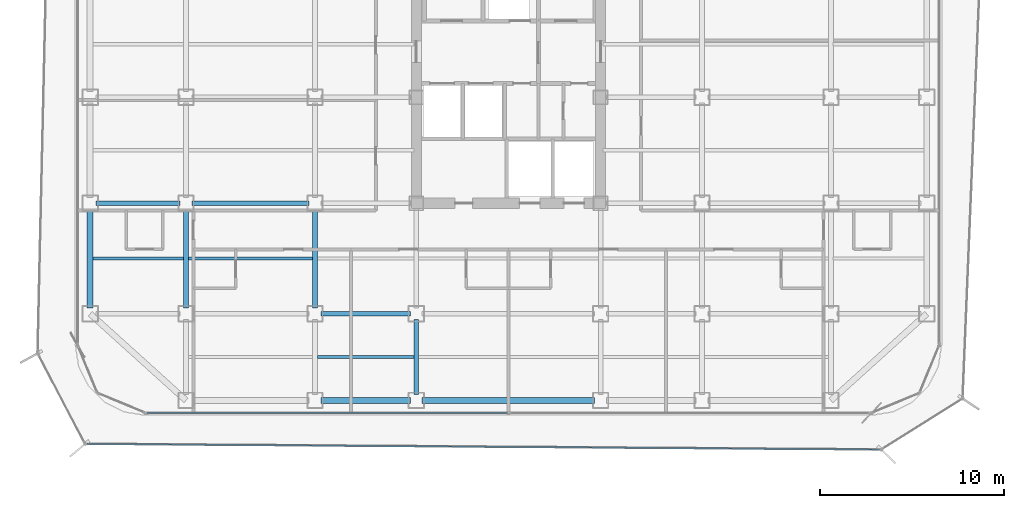
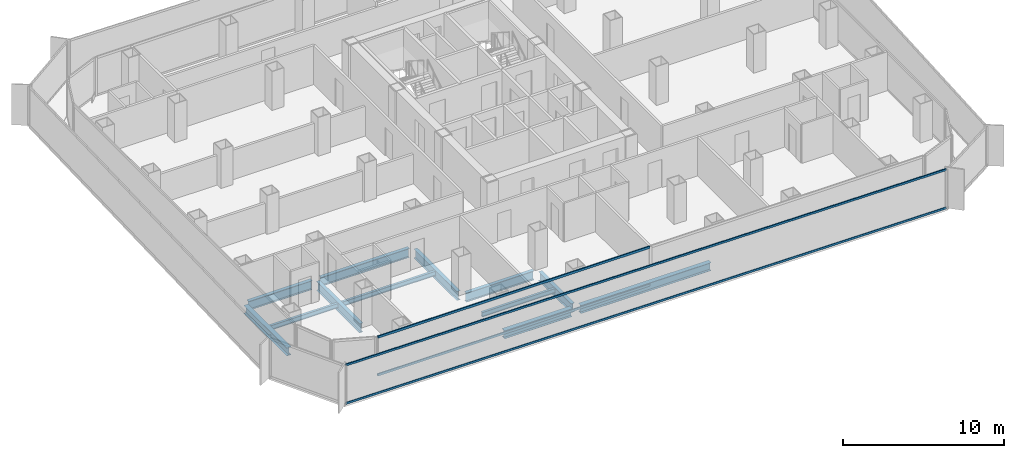
# One storey, part 3 of 21: 12 beams, 4 members, 2 elements without a shape of their own.
"""IFC4 building model written with IfcOpenShell, lengths in metres."""

from ifc_helpers import new_model, si_unit, direction, frame, origin, origin_2d, place, context, subcontext, project, spatial, hollow_rectangle, i_section, extrude, source, transform, mapped, material, layer, layer_set, material_profile, profile_set, type_object, element, aggregate, save


model = new_model("IFC4")

# Units and contexts
model_context = context("Model", 3, precision=1e-05, world=origin(), true_north=direction((0.0, 1.0)))
body_context = subcontext(model_context, "Body", "Model", "MODEL_VIEW")
ifc_project = project(units=[si_unit("LENGTHUNIT", "METRE"), si_unit("AREAUNIT", "SQUARE_METRE"), si_unit("VOLUMEUNIT", "CUBIC_METRE"), si_unit("PLANEANGLEUNIT", "RADIAN"), si_unit("MASSUNIT", "GRAM", prefix="KILO")], contexts=[model_context])

# Site, building, storey
site_placement = place(None, origin())
site = spatial("IfcSite", under=ifc_project, at=site_placement, CompositionType="ELEMENT")
building_placement = place(site_placement, origin())
building = spatial("IfcBuilding", under=site, at=building_placement, Name="Kolveth Station Tower", CompositionType="ELEMENT")
storey_placement = place(building_placement, frame((0.0, 0.0, 105.5)))
storey = spatial("IfcBuildingStorey", under=building, at=storey_placement, Name="L28", CompositionType="ELEMENT", Elevation=105.5)

# Beams
ifc_material_1 = material(Name="Steel S355", Category="steel")
ifc_material_profile_1 = material_profile(ifc_material_1, i_section(OverallWidth=0.323974609375, OverallDepth=0.611083984375, WebThickness=0.0126953125, FlangeThickness=0.01904296875, at=origin_2d()), Name="W610x155")
ifc_profile_set_1 = profile_set([ifc_material_profile_1], Name="Steel S355")
beam_type_1 = type_object("IfcBeamType", Name="Beam_SP2", PredefinedType="SPANDREL", material=ifc_profile_set_1)
shared_shape_1 = source(origin(), body_context, "Body", "SweptSolid", [
    extrude(i_section(OverallWidth=0.323974609375, OverallDepth=0.611083984375, WebThickness=0.0126953125, FlangeThickness=0.01904296875, at=origin_2d()), origin(), (0.0, 0.0, 1.0), 4.85986328125),
])
beam_1_placement = place(storey_placement, frame((13.320068359375, 0.800048828125, -0.555419921875), z_axis=(1.0, 0.0, 0.0), x_axis=(0.0, 1.0, 0.0)))
element("IfcBeam", 1, at=beam_1_placement, inside=storey, type_object=beam_type_1, Name="L28 Perimeter Spandrel BM-L28-PS-2", PredefinedType="SPANDREL", context=body_context, shape_type="MappedRepresentation", body=[
    mapped(shared_shape_1, transform((0.0, 0.0, 0.0), x_axis=(1.0, 0.0, 0.0), y_axis=(0.0, 1.0, 0.0), z_axis=(0.0, 0.0, 1.0), scale=1.0)),
])
shared_shape_2 = source(origin(), body_context, "Body", "SweptSolid", [
    extrude(i_section(OverallWidth=0.323974609375, OverallDepth=0.611083984375, WebThickness=0.0126953125, FlangeThickness=0.01904296875, at=origin_2d()), origin(), (0.0, 0.0, 1.0), 9.35986328125),
])
beam_2_placement = place(storey_placement, frame((18.820068359375, 0.800048828125, -0.555419921875), z_axis=(1.0, 0.0, 0.0), x_axis=(0.0, 1.0, 0.0)))
element("IfcBeam", 2, at=beam_2_placement, inside=storey, type_object=beam_type_1, Name="L28 Perimeter Spandrel BM-L28-PS-3", PredefinedType="SPANDREL", context=body_context, shape_type="MappedRepresentation", body=[
    mapped(shared_shape_2, transform((0.0, 0.0, 0.0), x_axis=(1.0, 0.0, 0.0), y_axis=(0.0, 1.0, 0.0), z_axis=(0.0, 0.0, 1.0), scale=1.0)),
])
shared_shape_3 = source(origin(), body_context, "Body", "SweptSolid", [
    extrude(i_section(OverallWidth=0.323974609375, OverallDepth=0.611083984375, WebThickness=0.0126953125, FlangeThickness=0.01904296875, at=origin_2d()), origin(), (0.0, 0.0, 1.0), 5.35986328125),
])
beam_3_placement = place(storey_placement, frame((0.800048828125, 5.820068359375, -0.555419921875), z_axis=(0.0, 1.0, 0.0), x_axis=(-1.0, 0.0, 0.0)))
element("IfcBeam", 3, at=beam_3_placement, inside=storey, type_object=beam_type_1, Name="L28 Perimeter Spandrel BM-L28-PW-1", PredefinedType="SPANDREL", context=body_context, shape_type="MappedRepresentation", body=[
    mapped(shared_shape_3, transform((0.0, 0.0, 0.0), x_axis=(1.0, 0.0, 0.0), y_axis=(0.0, 1.0, 0.0), z_axis=(0.0, 0.0, 1.0), scale=1.0)),
])
ifc_material_profile_2 = material_profile(ifc_material_1, i_section(OverallWidth=0.25390625, OverallDepth=0.68798828125, WebThickness=0.01318359375, FlangeThickness=0.02099609375, at=origin_2d()), Name="W690x152")
ifc_profile_set_2 = profile_set([ifc_material_profile_2], Name="Steel S355")
beam_type_2 = type_object("IfcBeamType", Name="Beam_B4", PredefinedType="BEAM", material=ifc_profile_set_2)
shared_shape_4 = source(origin(), body_context, "Body", "SweptSolid", [
    extrude(i_section(OverallWidth=0.25390625, OverallDepth=0.68798828125, WebThickness=0.01318359375, FlangeThickness=0.02099609375, at=origin_2d()), origin(), (0.0, 0.0, 1.0), 4.559814453125),
])
beam_4_placement = place(storey_placement, frame((1.1201171875, 11.5, -0.593994140625), z_axis=(1.0, 0.0, 0.0), x_axis=(0.0, 1.0, 0.0)))
element("IfcBeam", 4, at=beam_4_placement, inside=storey, type_object=beam_type_2, Name="L28 Primary Girder BM-L28-GY115-1", PredefinedType="BEAM", context=body_context, shape_type="MappedRepresentation", body=[
    mapped(shared_shape_4, transform((0.0, 0.0, 0.0), x_axis=(1.0, 0.0, 0.0), y_axis=(0.0, 1.0, 0.0), z_axis=(0.0, 0.0, 1.0), scale=1.0)),
])
shared_shape_5 = source(origin(), body_context, "Body", "SweptSolid", [
    extrude(i_section(OverallWidth=0.25390625, OverallDepth=0.68798828125, WebThickness=0.01318359375, FlangeThickness=0.02099609375, at=origin_2d()), origin(), (0.0, 0.0, 1.0), 6.35986328125),
])
beam_5_placement = place(storey_placement, frame((6.320068359375, 11.5, -0.593994140625), z_axis=(1.0, 0.0, 0.0), x_axis=(0.0, 1.0, 0.0)))
element("IfcBeam", 5, at=beam_5_placement, inside=storey, type_object=beam_type_2, Name="L28 Primary Girder BM-L28-GY115-2", PredefinedType="BEAM", context=body_context, shape_type="MappedRepresentation", body=[
    mapped(shared_shape_5, transform((0.0, 0.0, 0.0), x_axis=(1.0, 0.0, 0.0), y_axis=(0.0, 1.0, 0.0), z_axis=(0.0, 0.0, 1.0), scale=1.0)),
])
shared_shape_6 = source(origin(), body_context, "Body", "SweptSolid", [
    extrude(i_section(OverallWidth=0.25390625, OverallDepth=0.68798828125, WebThickness=0.01318359375, FlangeThickness=0.02099609375, at=origin_2d()), origin(), (0.0, 0.0, 1.0), 4.85986328125),
])
beam_6_placement = place(storey_placement, frame((13.320068359375, 5.5, -0.593994140625), z_axis=(1.0, 0.0, 0.0), x_axis=(0.0, 1.0, 0.0)))
element("IfcBeam", 6, at=beam_6_placement, inside=storey, type_object=beam_type_2, Name="L28 Primary Girder BM-L28-GY55-3", PredefinedType="BEAM", context=body_context, shape_type="MappedRepresentation", body=[
    mapped(shared_shape_6, transform((0.0, 0.0, 0.0), x_axis=(1.0, 0.0, 0.0), y_axis=(0.0, 1.0, 0.0), z_axis=(0.0, 0.0, 1.0), scale=1.0)),
])
shared_shape_7 = source(origin(), body_context, "Body", "SweptSolid", [
    extrude(i_section(OverallWidth=0.25390625, OverallDepth=0.68798828125, WebThickness=0.01318359375, FlangeThickness=0.02099609375, at=origin_2d()), origin(), (0.0, 0.0, 1.0), 4.059814453125),
])
beam_7_placement = place(storey_placement, frame((18.5, 1.1201171875, -0.593994140625), z_axis=(0.0, 1.0, 0.0), x_axis=(-1.0, 0.0, 0.0)))
element("IfcBeam", 7, at=beam_7_placement, inside=storey, type_object=beam_type_2, Name="L28 Primary Girder BM-L28-GX185-1", PredefinedType="BEAM", context=body_context, shape_type="MappedRepresentation", body=[
    mapped(shared_shape_7, transform((0.0, 0.0, 0.0), x_axis=(1.0, 0.0, 0.0), y_axis=(0.0, 1.0, 0.0), z_axis=(0.0, 0.0, 1.0), scale=1.0)),
])
shared_shape_8 = source(origin(), body_context, "Body", "SweptSolid", [
    extrude(i_section(OverallWidth=0.25390625, OverallDepth=0.68798828125, WebThickness=0.01318359375, FlangeThickness=0.02099609375, at=origin_2d()), origin(), (0.0, 0.0, 1.0), 5.35986328125),
])
for number, where, z_axis, x_axis, name in (
    (8, (6.0, 5.820068359375, -0.593994140625), (0.0, 1.0, 0.0), (-1.0, 0.0, 0.0), "L28 Primary Girder BM-L28-GX60-2"),
    (9, (13.0, 5.820068359375, -0.593994140625), (0.0, 1.0, 0.0), (-1.0, 0.0, 0.0), "L28 Primary Girder BM-L28-GX130-2"),
):
    element("IfcBeam", number, at=place(storey_placement, frame(where, z_axis=z_axis, x_axis=x_axis)), inside=storey, type_object=beam_type_2, Name=name, PredefinedType="BEAM", context=body_context, shape_type="MappedRepresentation", body=[
        mapped(shared_shape_8, transform((0.0, 0.0, 0.0), x_axis=(1.0, 0.0, 0.0), y_axis=(0.0, 1.0, 0.0), z_axis=(0.0, 0.0, 1.0), scale=1.0)),
    ])
ifc_material_profile_3 = material_profile(ifc_material_1, i_section(OverallWidth=0.1708984375, OverallDepth=0.35205078125, WebThickness=0.0068359375, FlangeThickness=0.009765625, at=origin_2d()), Name="W360x44")
ifc_profile_set_3 = profile_set([ifc_material_profile_3], Name="Steel S355")
beam_type_3 = type_object("IfcBeamType", Name="Beam_J2", PredefinedType="JOIST", material=ifc_profile_set_3)
shared_shape_9 = source(origin(), body_context, "Body", "SweptSolid", [
    extrude(i_section(OverallWidth=0.1708984375, OverallDepth=0.35205078125, WebThickness=0.0068359375, FlangeThickness=0.009765625, at=origin_2d()), origin(), (0.0, 0.0, 1.0), 4.9150390625),
])
beam_8_placement = place(storey_placement, frame((0.9599609375, 8.5, -0.426025390625), z_axis=(1.0, 0.0, 0.0), x_axis=(0.0, 1.0, 0.0)))
element("IfcBeam", 10, at=beam_8_placement, inside=storey, type_object=beam_type_3, Name="L28 Secondary Joist JST-L28-1-2", PredefinedType="JOIST", context=body_context, shape_type="MappedRepresentation", body=[
    mapped(shared_shape_9, transform((0.0, 0.0, 0.0), x_axis=(1.0, 0.0, 0.0), y_axis=(0.0, 1.0, 0.0), z_axis=(0.0, 0.0, 1.0), scale=1.0)),
])
shared_shape_10 = source(origin(), body_context, "Body", "SweptSolid", [
    extrude(i_section(OverallWidth=0.1708984375, OverallDepth=0.35205078125, WebThickness=0.0068359375, FlangeThickness=0.009765625, at=origin_2d()), origin(), (0.0, 0.0, 1.0), 6.75),
])
beam_9_placement = place(storey_placement, frame((6.125, 8.5, -0.426025390625), z_axis=(1.0, 0.0, 0.0), x_axis=(0.0, 1.0, 0.0)))
element("IfcBeam", 11, at=beam_9_placement, inside=storey, type_object=beam_type_3, Name="L28 Secondary Joist JST-L28-2-2", PredefinedType="JOIST", context=body_context, shape_type="MappedRepresentation", body=[
    mapped(shared_shape_10, transform((0.0, 0.0, 0.0), x_axis=(1.0, 0.0, 0.0), y_axis=(0.0, 1.0, 0.0), z_axis=(0.0, 0.0, 1.0), scale=1.0)),
])
shared_shape_11 = source(origin(), body_context, "Body", "SweptSolid", [
    extrude(i_section(OverallWidth=0.1708984375, OverallDepth=0.35205078125, WebThickness=0.0068359375, FlangeThickness=0.009765625, at=origin_2d()), origin(), (0.0, 0.0, 1.0), 5.25),
])
beam_10_placement = place(storey_placement, frame((13.125, 3.14990234375, -0.426025390625), z_axis=(1.0, 0.0, 0.0), x_axis=(0.0, 1.0, 0.0)))
element("IfcBeam", 12, at=beam_10_placement, inside=storey, type_object=beam_type_3, Name="L28 Secondary Joist JST-L28-3-1", PredefinedType="JOIST", context=body_context, shape_type="MappedRepresentation", body=[
    mapped(shared_shape_11, transform((0.0, 0.0, 0.0), x_axis=(1.0, 0.0, 0.0), y_axis=(0.0, 1.0, 0.0), z_axis=(0.0, 0.0, 1.0), scale=1.0)),
])

# Curtain wall, members
ifc_material_2 = material(Name="Aluminium 6063-T6 and low-E dark glass", Category="aluminium")
ifc_layer_1 = layer(ifc_material_2, 0.18994140625)
ifc_layer_set_1 = layer_set([ifc_layer_1], Name="Aluminium 6063-T6 and low-E dark glass")
curtain_wall_type_1 = type_object("IfcCurtainWallType", Name="CurtainWall_CW-Z2", PredefinedType="NOTDEFINED", material=ifc_layer_set_1)
curtain_wall_1_placement = place(storey_placement, origin())
curtain_wall_1 = element("IfcCurtainWall", 13, at=curtain_wall_1_placement, inside=storey, type_object=curtain_wall_type_1, Name="L28 Inner Thermal Curtain Wall 12", PredefinedType="NOTDEFINED")
ifc_material_3 = material(Name="Black anodized aluminium 6063-T6", Category="aluminium")
ifc_material_profile_4 = material_profile(ifc_material_3, hollow_rectangle(XDim=0.080078125, YDim=0.169921875, WallThickness=0.0048828125, at=origin_2d()), Name="ALU-80x170x5")
ifc_profile_set_4 = profile_set([ifc_material_profile_4], Name="Black anodized aluminium 6063-T6")
member_type_1 = type_object("IfcMemberType", Name="Transom_TR2", PredefinedType="USERDEFINED", material=ifc_profile_set_4)
shared_shape_12 = source(origin(), body_context, "Body", "SweptSolid", [
    extrude(hollow_rectangle(XDim=0.080078125, YDim=0.169921875, WallThickness=0.0048828125, at=origin_2d()), origin(), (0.0, 0.0, 1.0), 19.580078125),
])
member_1_placement = place(storey_placement, frame((3.8798828125, 0.1201171875, 0.0400390625), z_axis=(1.0, 0.0, 0.0), x_axis=(0.0, 1.0, 0.0)))
member_1 = element("IfcMember", 14, at=member_1_placement, type_object=member_type_1, Name="CW-Z2 transom 1.1", ObjectType="TRANSOM", PredefinedType="USERDEFINED", context=body_context, shape_type="MappedRepresentation", body=[
    mapped(shared_shape_12, transform((0.0, 0.0, 0.0), x_axis=(1.0, 0.0, 0.0), y_axis=(0.0, 1.0, 0.0), z_axis=(0.0, 0.0, 1.0), scale=1.0)),
])
member_2_placement = place(storey_placement, frame((3.8798828125, 0.1201171875, 2.909912109375), z_axis=(1.0, 0.0, 0.0), x_axis=(0.0, 1.0, 0.0)))
member_2 = element("IfcMember", 15, at=member_2_placement, type_object=member_type_1, Name="CW-Z2 transom 1.2", ObjectType="TRANSOM", PredefinedType="USERDEFINED", context=body_context, shape_type="MappedRepresentation", body=[
    mapped(shared_shape_12, transform((0.0, 0.0, 0.0), x_axis=(1.0, 0.0, 0.0), y_axis=(0.0, 1.0, 0.0), z_axis=(0.0, 0.0, 1.0), scale=1.0)),
])
aggregate(curtain_wall_1, [member_1, member_2])

ifc_material_4 = material(Name="Black anodized aluminium 6063-T6 and dark solar glass", Category="aluminium")
ifc_layer_2 = layer(ifc_material_4, 0.159912109375)
ifc_layer_set_2 = layer_set([ifc_layer_2], Name="Black anodized aluminium 6063-T6 and dark solar glass")
curtain_wall_type_2 = type_object("IfcCurtainWallType", Name="OUTER SKIN CW-OS", PredefinedType="NOTDEFINED", material=ifc_layer_set_2)
curtain_wall_2_placement = place(storey_placement, origin())
curtain_wall_2 = element("IfcCurtainWall", 16, at=curtain_wall_2_placement, inside=storey, type_object=curtain_wall_type_2, Name="L28 Outer Ventilated Skin Curtain Wall 8", PredefinedType="NOTDEFINED")
ifc_material_profile_5 = material_profile(ifc_material_3, hollow_rectangle(XDim=0.080078125, YDim=0.14990234375, WallThickness=0.0048828125, at=origin_2d()), Name="ALU-80x150x5")
ifc_profile_set_5 = profile_set([ifc_material_profile_5], Name="Black anodized aluminium 6063-T6")
member_type_2 = type_object("IfcMemberType", Name="Transom_TR-OS", PredefinedType="USERDEFINED", material=ifc_profile_set_5)
shared_shape_13 = source(origin(), body_context, "Body", "SweptSolid", [
    extrude(hollow_rectangle(XDim=0.080078125, YDim=0.14990234375, WallThickness=0.0048828125, at=origin_2d()), origin(), (0.0, 0.0, 1.0), 43.0224609375),
])
member_3_placement = place(storey_placement, frame((0.6171875, -1.56005859375, 0.0400390625), z_axis=(0.999974478032, -0.007144458323, 0.0), x_axis=(0.007144458323, 0.999974478032, 0.0)))
member_3 = element("IfcMember", 17, at=member_3_placement, type_object=member_type_2, Name="CW-OS transom 1.1", ObjectType="TRANSOM", PredefinedType="USERDEFINED", context=body_context, shape_type="MappedRepresentation", body=[
    mapped(shared_shape_13, transform((0.0, 0.0, 0.0), x_axis=(1.0, 0.0, 0.0), y_axis=(0.0, 1.0, 0.0), z_axis=(0.0, 0.0, 1.0), scale=1.0)),
])
member_4_placement = place(storey_placement, frame((0.6171875, -1.56005859375, 2.949951171875), z_axis=(0.999974478032, -0.007144458323, 0.0), x_axis=(0.007144458323, 0.999974478032, 0.0)))
member_4 = element("IfcMember", 18, at=member_4_placement, type_object=member_type_2, Name="CW-OS transom 1.2", ObjectType="TRANSOM", PredefinedType="USERDEFINED", context=body_context, shape_type="MappedRepresentation", body=[
    mapped(shared_shape_13, transform((0.0, 0.0, 0.0), x_axis=(1.0, 0.0, 0.0), y_axis=(0.0, 1.0, 0.0), z_axis=(0.0, 0.0, 1.0), scale=1.0)),
])
aggregate(curtain_wall_2, [member_3, member_4])

save(model, "model.ifc")
